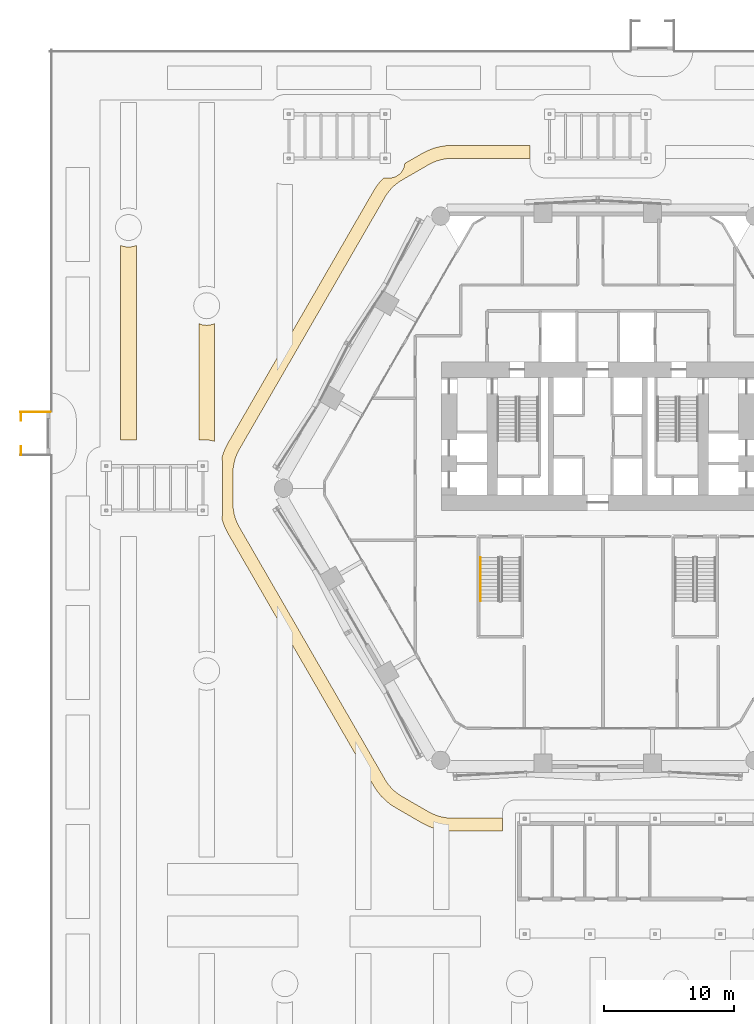
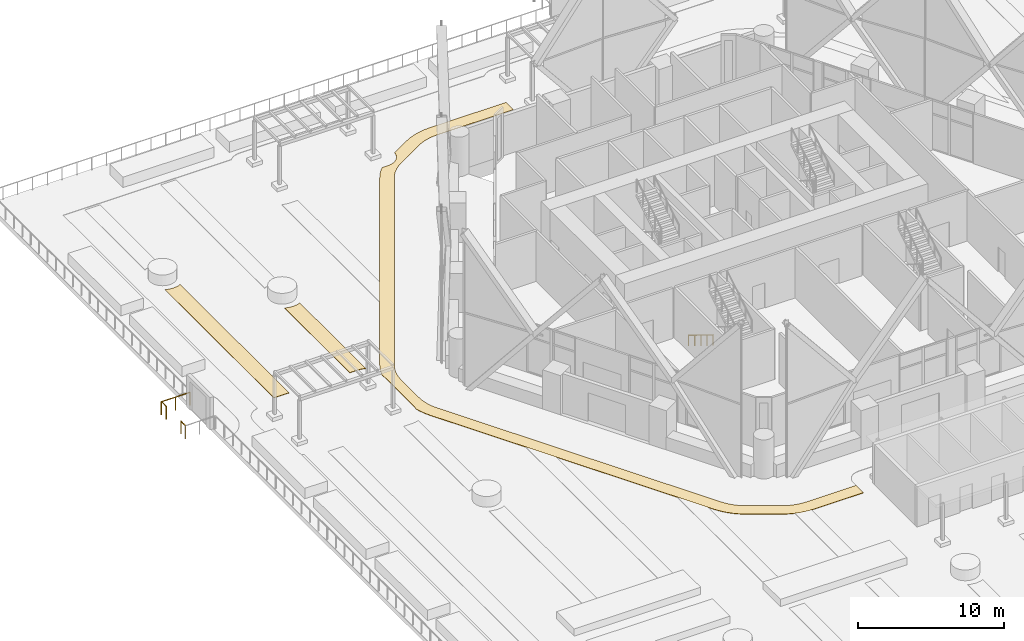
# One storey, part 63 of 71: 4 railings, 3 coverings.
"""IFC4 building model written with IfcOpenShell, lengths in metres."""

from ifc_helpers import new_model, si_unit, direction, frame, origin, origin_2d, place, context, subcontext, project, spatial, polyline, circle, outline, extrude, material, layer, layer_set, type_object, element, save


model = new_model("IFC4")

# Units and contexts
model_context = context("Model", 3, precision=1e-05, world=origin(), true_north=direction((0.0, 1.0)))
body_context = subcontext(model_context, "Body", "Model", "MODEL_VIEW")
ifc_project = project(units=[si_unit("LENGTHUNIT", "METRE"), si_unit("AREAUNIT", "SQUARE_METRE"), si_unit("VOLUMEUNIT", "CUBIC_METRE"), si_unit("PLANEANGLEUNIT", "RADIAN"), si_unit("MASSUNIT", "GRAM", prefix="KILO")], contexts=[model_context])

# Site, building, storey
site_placement = place(None, origin())
site = spatial("IfcSite", under=ifc_project, at=site_placement, CompositionType="ELEMENT")
building_placement = place(site_placement, origin())
building = spatial("IfcBuilding", under=site, at=building_placement, Name="Ostrander Bayou Hotel Tower", CompositionType="ELEMENT")
storey_placement = place(building_placement, frame((0.0, 0.0, 10.0)))
storey = spatial("IfcBuildingStorey", under=building, at=storey_placement, Name="L02", CompositionType="ELEMENT", Elevation=10.0)

# Coverings
ifc_material_1 = material(Name="Granite paving on bedding", Category="masonry")
ifc_layer = layer(ifc_material_1, 0.030029296875)
ifc_layer_set = layer_set([ifc_layer], Name="CV6 paving band 30 mm")
covering_type = type_object("IfcCoveringType", Name="CV6 paving band 30 mm", PredefinedType="FLOORING", material=ifc_layer_set)
covering_1_placement = place(storey_placement, origin())
element("IfcCovering", 1, at=covering_1_placement, inside=storey, type_object=covering_type, Name="PAVING BAND ring 1", PredefinedType="FLOORING", context=body_context, shape_type="SweptSolid", body=[
    extrude(outline(polyline([(-16.434326171875, 23.800048828125), (-16.0, 23.800048828125), (-15.88232421875, 23.805908203125), (-15.765869140625, 23.822998046875), (-15.651611328125, 23.851806640625), (-15.540771484375, 23.891357421875), (-15.434326171875, 23.941650390625), (-15.333251953125, 24.002197265625), (-15.23876953125, 24.072509765625), (-15.151611328125, 24.151611328125), (-15.072509765625, 24.23876953125), (-15.002197265625, 24.333251953125), (-14.941650390625, 24.434326171875), (-14.891357421875, 24.540771484375), (-14.851806640625, 24.651611328125), (-14.822998046875, 24.765869140625), (-14.805908203125, 24.88232421875), (-14.80419921875, 24.91552734375), (-13.45068359375, 25.697021484375), (-13.031005859375, 25.910888671875), (-12.59130859375, 26.079833984375), (-12.13623046875, 26.20166015625), (-11.6708984375, 26.275390625), (-11.20068359375, 26.300048828125), (-5.199951171875, 26.300048828125), (-5.199951171875, 25.300048828125), (-11.20068359375, 25.300048828125), (-11.56640625, 25.28076171875), (-11.92822265625, 25.223388671875), (-12.2822265625, 25.128662109375), (-12.624267578125, 24.997314453125), (-12.95068359375, 24.8310546875), (-15.029052734375, 23.631103515625), (-15.336181640625, 23.431640625), (-15.62109375, 23.200927734375), (-15.880126953125, 22.94189453125), (-16.110595703125, 22.6572265625), (-16.31005859375, 22.35009765625), (-27.5107421875, 2.949951171875), (-27.677001953125, 2.62353515625), (-27.808349609375, 2.281494140625), (-27.9033203125, 1.927734375), (-27.96044921875, 1.56591796875), (-27.979736328125, 1.199951171875), (-27.979736328125, -1.199951171875), (-27.96044921875, -1.56591796875), (-27.9033203125, -1.927734375), (-27.808349609375, -2.281494140625), (-27.677001953125, -2.62353515625), (-27.5107421875, -2.949951171875), (-16.31005859375, -22.35009765625), (-16.110595703125, -22.6572265625), (-15.880126953125, -22.94189453125), (-15.62109375, -23.200927734375), (-15.336181640625, -23.431640625), (-15.029052734375, -23.631103515625), (-12.95068359375, -24.8310546875), (-12.624267578125, -24.997314453125), (-12.2822265625, -25.128662109375), (-11.92822265625, -25.223388671875), (-11.56640625, -25.28076171875), (-11.20068359375, -25.300048828125), (-7.300048828125, -25.300048828125), (-7.300048828125, -26.300048828125), (-11.20068359375, -26.300048828125), (-11.6708984375, -26.275390625), (-12.13623046875, -26.20166015625), (-12.59130859375, -26.079833984375), (-13.031005859375, -25.910888671875), (-13.45068359375, -25.697021484375), (-15.529052734375, -24.4970703125), (-15.924072265625, -24.240478515625), (-16.2900390625, -23.944091796875), (-16.623291015625, -23.611083984375), (-16.919677734375, -23.2451171875), (-17.17626953125, -22.85009765625), (-28.376708984375, -3.449951171875), (-28.590576171875, -3.0302734375), (-28.759521484375, -2.590576171875), (-28.83837890625, -2.295654296875), (-28.822998046875, -2.234130859375), (-28.805908203125, -2.11767578125), (-28.800048828125, -2.0), (-28.800048828125, 2.0), (-28.805908203125, 2.11767578125), (-28.822998046875, 2.234130859375), (-28.83837890625, 2.295654296875), (-28.759521484375, 2.590576171875), (-28.590576171875, 3.0302734375), (-28.376708984375, 3.449951171875), (-17.17626953125, 22.85009765625), (-16.919677734375, 23.2451171875), (-16.623291015625, 23.611083984375), (-16.434326171875, 23.800048828125)])), origin(), (0.0, 0.0, 1.0), 0.030029296875),
])
covering_2_placement = place(storey_placement, origin())
element("IfcCovering", 2, at=covering_2_placement, inside=storey, type_object=covering_type, Name="PAVING STRIPE 2", PredefinedType="FLOORING", context=body_context, shape_type="SweptSolid", body=[
    extrude(outline(polyline([(-36.60009765625, 18.63427734375), (-36.4501953125, 18.572021484375), (-36.4091796875, 18.55712890625), (-36.366943359375, 18.5458984375), (-36.32421875, 18.538330078125), (-36.065185546875, 18.50439453125), (-36.021728515625, 18.50048828125), (-35.978271484375, 18.50048828125), (-35.934814453125, 18.50439453125), (-35.67578125, 18.538330078125), (-35.633056640625, 18.5458984375), (-35.5908203125, 18.55712890625), (-35.5498046875, 18.572021484375), (-35.39990234375, 18.63427734375), (-35.39990234375, 3.699951171875), (-36.60009765625, 3.699951171875), (-36.60009765625, 18.63427734375)])), origin(), (0.0, 0.0, 1.0), 0.030029296875),
])
covering_3_placement = place(storey_placement, origin())
element("IfcCovering", 3, at=covering_3_placement, inside=storey, type_object=covering_type, Name="PAVING STRIPE 7", PredefinedType="FLOORING", context=body_context, shape_type="SweptSolid", body=[
    extrude(outline(polyline([(-30.60009765625, 12.63427734375), (-30.4501953125, 12.572021484375), (-30.4091796875, 12.55712890625), (-30.366943359375, 12.5458984375), (-30.32421875, 12.538330078125), (-30.065185546875, 12.50439453125), (-30.021728515625, 12.50048828125), (-29.978271484375, 12.50048828125), (-29.934814453125, 12.50439453125), (-29.67578125, 12.538330078125), (-29.633056640625, 12.5458984375), (-29.5908203125, 12.55712890625), (-29.5498046875, 12.572021484375), (-29.39990234375, 12.63427734375), (-29.39990234375, 3.58935546875), (-29.483154296875, 3.619140625), (-29.5302734375, 3.63330078125), (-29.644287109375, 3.662109375), (-29.6923828125, 3.67138671875), (-29.80908203125, 3.688720703125), (-29.85791015625, 3.693603515625), (-29.9755859375, 3.699462890625), (-30.0, 3.699951171875), (-30.60009765625, 3.699951171875), (-30.60009765625, 12.63427734375)])), origin(), (0.0, 0.0, 1.0), 0.030029296875),
])

# Railings
ifc_material_2 = material(Name="Stainless steel and clear glass", Category="steel")
railing_type_1 = type_object("IfcRailingType", Name="GR1 guard 1100 mm", PredefinedType="GUARDRAIL", material=ifc_material_2)
railing_1_placement = place(storey_placement, frame((-42.0, 5.85009765625, 0.0)))
element("IfcRailing", 4, at=railing_1_placement, inside=storey, type_object=railing_type_1, Name="GR1 landing guard WL", PredefinedType="GUARDRAIL", context=body_context, shape_type="SweptSolid", body=[
    extrude(circle(Radius=0.02490234375, at=origin_2d()), frame((0.0, 0.0, 1.0751953125), z_axis=(-1.0, 0.0, 0.0), x_axis=(0.0, -1.0, 0.0)), (0.0, 0.0, 1.0), 2.300048828125),
    extrude(circle(Radius=0.02001953125, at=origin_2d()), origin(), (0.0, 0.0, 1.0), 1.050048828125),
    extrude(circle(Radius=0.02001953125, at=origin_2d()), frame((-1.14990234375, 0.0, 0.0)), (0.0, 0.0, 1.0), 1.050048828125),
    extrude(circle(Radius=0.02001953125, at=origin_2d()), frame((-2.300048828125, 0.0, 0.0)), (0.0, 0.0, 1.0), 1.050048828125),
])
railing_2_placement = place(storey_placement, frame((-44.25, 5.85009765625, 0.0)))
element("IfcRailing", 5, at=railing_2_placement, inside=storey, type_object=railing_type_1, Name="GR1 landing end guard WL", PredefinedType="GUARDRAIL", context=body_context, shape_type="SweptSolid", body=[
    extrude(circle(Radius=0.02490234375, at=origin_2d()), frame((0.0, 0.0, 1.0751953125), z_axis=(0.0, -1.0, 0.0), x_axis=(1.0, 0.0, 0.0)), (0.0, 0.0, 1.0), 0.650146484375),
    extrude(circle(Radius=0.02001953125, at=origin_2d()), origin(), (0.0, 0.0, 1.0), 1.050048828125),
    extrude(circle(Radius=0.02001953125, at=origin_2d()), frame((0.0, -0.650146484375, 0.0)), (0.0, 0.0, 1.0), 1.050048828125),
])
railing_3_placement = place(storey_placement, frame((-44.25, 2.550048828125, 0.0)))
element("IfcRailing", 6, at=railing_3_placement, inside=storey, type_object=railing_type_1, Name="GR1 landing end guard WR", PredefinedType="GUARDRAIL", context=body_context, shape_type="SweptSolid", body=[
    extrude(circle(Radius=0.02490234375, at=origin_2d()), frame((0.0, 0.0, 1.0751953125), z_axis=(0.0, 1.0, 0.0), x_axis=(-1.0, 0.0, 0.0)), (0.0, 0.0, 1.0), 0.64990234375),
    extrude(circle(Radius=0.02001953125, at=origin_2d()), origin(), (0.0, 0.0, 1.0), 1.050048828125),
    extrude(circle(Radius=0.02001953125, at=origin_2d()), frame((0.0, 0.64990234375, 0.0)), (0.0, 0.0, 1.0), 1.050048828125),
])
ifc_material_3 = material(Name="Steel ASTM A500 Gr C", Category="steel")
railing_type_2 = type_object("IfcRailingType", Name="HR1 stair handrail 900 mm steel", PredefinedType="HANDRAIL", material=ifc_material_3)
railing_4_placement = place(storey_placement, frame((-9.0, -5.300048828125, 0.173095703125)))
element("IfcRailing", 7, at=railing_4_placement, inside=storey, type_object=railing_type_2, Name="L02 STD stair handrail 1", PredefinedType="HANDRAIL", context=body_context, shape_type="SweptSolid", body=[
    extrude(circle(Radius=0.02392578125, at=origin_2d()), frame((0.0, 0.0, 0.8759765625), z_axis=(0.0, -0.850606129759, 0.525803396734), x_axis=(1.0, 0.0, 0.0)), (0.0, 0.0, 1.0), 3.949951171875),
    extrude(circle(Radius=0.02099609375, at=origin_2d()), origin(), (0.0, 0.0, 1.0), 0.851806640625),
    extrude(circle(Radius=0.02099609375, at=origin_2d()), frame((0.0, -0.83984375, 0.519287109375)), (0.0, 0.0, 1.0), 0.851806640625),
    extrude(circle(Radius=0.02099609375, at=origin_2d()), frame((0.0, -1.679931640625, 1.03857421875)), (0.0, 0.0, 1.0), 0.851806640625),
    extrude(circle(Radius=0.02099609375, at=origin_2d()), frame((0.0, -2.52001953125, 1.5576171875)), (0.0, 0.0, 1.0), 0.851806640625),
    extrude(circle(Radius=0.02099609375, at=origin_2d()), frame((0.0, -3.35986328125, 2.076904296875)), (0.0, 0.0, 1.0), 0.851806640625),
])

save(model, "model.ifc")
